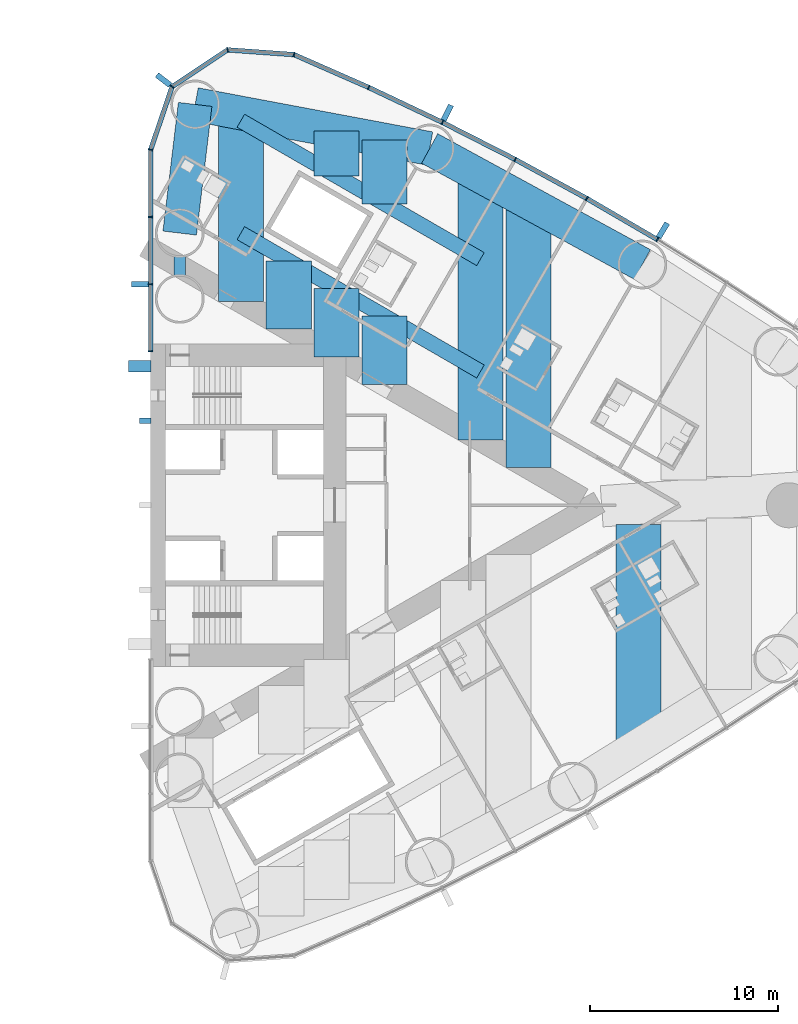
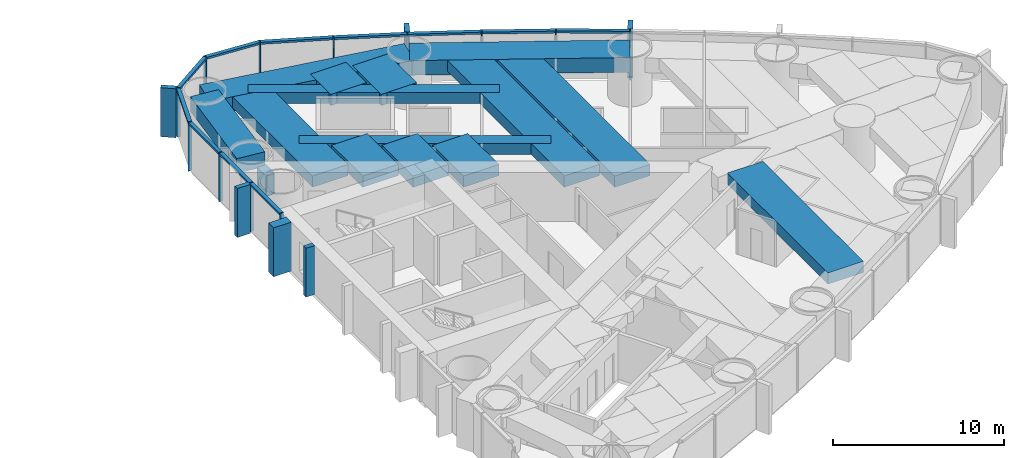
# One storey, part 7 of 18: 29 members, 15 beams, 1 element without a shape of its own.
"""IFC4 building model written with IfcOpenShell, lengths in metres."""

from ifc_helpers import new_model, si_unit, direction, frame, origin, origin_2d, place, context, subcontext, project, spatial, rectangle, hollow_rectangle, extrude, material, material_profile, profile_set, type_object, element, aggregate, save


model = new_model("IFC4")

# Units and contexts
model_context = context("Model", 3, precision=1e-05, world=origin(), true_north=direction((0.0, 1.0)))
body_context = subcontext(model_context, "Body", "Model", "MODEL_VIEW")
ifc_project = project(units=[si_unit("LENGTHUNIT", "METRE"), si_unit("AREAUNIT", "SQUARE_METRE"), si_unit("VOLUMEUNIT", "CUBIC_METRE"), si_unit("PLANEANGLEUNIT", "RADIAN"), si_unit("MASSUNIT", "GRAM", prefix="KILO")], contexts=[model_context])

# Site, building, storey
site_placement = place(None, origin())
site = spatial("IfcSite", under=ifc_project, at=site_placement, CompositionType="ELEMENT")
building_placement = place(site_placement, origin())
building = spatial("IfcBuilding", under=site, at=building_placement, Name="Lancet Gate Hotel", CompositionType="ELEMENT")
storey_placement = place(building_placement, frame((0.0, 0.0, 115.10009765625)))
storey = spatial("IfcBuildingStorey", under=building, at=storey_placement, Name="L30", CompositionType="ELEMENT", Elevation=115.10009765625)

# Curtain wall, members
ifc_material_1 = material(Name="Aluminium curtain wall", Category="aluminium")
curtain_wall_type = type_object("IfcCurtainWallType", Name="Tower unitised curtain wall", PredefinedType="USERDEFINED", material=ifc_material_1)
curtain_wall_placement = place(storey_placement, origin())
curtain_wall = element("IfcCurtainWall", 1, at=curtain_wall_placement, inside=storey, type_object=curtain_wall_type, Name="T2 L30 curtain wall 1", ObjectType="UNITISED CURTAIN WALL", PredefinedType="USERDEFINED")
ifc_material_2 = material(Name="Aluminium mullion", Category="aluminium")
ifc_material_profile_1 = material_profile(ifc_material_2, rectangle(XDim=0.06494140625, YDim=0.25, at=origin_2d()), Name="MULLION 65x250")
ifc_profile_set_1 = profile_set([ifc_material_profile_1], Name="Aluminium mullion")
member_type_1 = type_object("IfcMemberType", Name="Aluminium mullion 65x250", PredefinedType="MULLION", material=ifc_profile_set_1)
member_1_placement = place(storey_placement, frame((54.496337890625, 14.1552734375, 0.0), z_axis=(0.0, 0.0, 1.0), x_axis=(-0.856728030701, 0.515768437781, 0.0)))
member_1 = element("IfcMember", 2, at=member_1_placement, type_object=member_type_1, Name="T2 L30 curtain wall 1 mullion 23", PredefinedType="MULLION", context=body_context, shape_type="SweptSolid", body=[
    extrude(rectangle(XDim=0.06494140625, YDim=0.25, at=origin_2d()), origin(), (0.0, 0.0, 1.0), 3.5),
])
member_2_placement = place(storey_placement, frame((50.740478515625, 16.344482421875, 0.0), z_axis=(0.0, 0.0, 1.0), x_axis=(-0.871028838445, 0.491231882716, 0.0)))
member_2 = element("IfcMember", 3, at=member_2_placement, type_object=member_type_1, Name="T2 L30 curtain wall 1 mullion 24", PredefinedType="MULLION", context=body_context, shape_type="SweptSolid", body=[
    extrude(rectangle(XDim=0.06494140625, YDim=0.25, at=origin_2d()), origin(), (0.0, 0.0, 1.0), 3.5),
])
member_3_placement = place(storey_placement, frame((46.923828125, 18.426025390625, 0.0), z_axis=(0.0, 0.0, 1.0), x_axis=(-0.884627112962, 0.466299121822, 0.0)))
member_3 = element("IfcMember", 4, at=member_3_placement, type_object=member_type_1, Name="T2 L30 curtain wall 1 mullion 25", PredefinedType="MULLION", context=body_context, shape_type="SweptSolid", body=[
    extrude(rectangle(XDim=0.06494140625, YDim=0.25, at=origin_2d()), origin(), (0.0, 0.0, 1.0), 3.5),
])
member_4_placement = place(storey_placement, frame((43.0498046875, 20.398193359375, 0.0), z_axis=(0.0, 0.0, 1.0), x_axis=(-0.897511886496, 0.440990264743, 0.0)))
member_4 = element("IfcMember", 5, at=member_4_placement, type_object=member_type_1, Name="T2 L30 curtain wall 1 mullion 26", PredefinedType="MULLION", context=body_context, shape_type="SweptSolid", body=[
    extrude(rectangle(XDim=0.06494140625, YDim=0.25, at=origin_2d()), origin(), (0.0, 0.0, 1.0), 3.5),
])
member_5_placement = place(storey_placement, frame((39.12109375, 22.259765625, 0.0), z_axis=(0.0, 0.0, 1.0), x_axis=(-0.909672766767, 0.415325724465, 0.0)))
member_5 = element("IfcMember", 6, at=member_5_placement, type_object=member_type_1, Name="T2 L30 curtain wall 1 mullion 27", PredefinedType="MULLION", context=body_context, shape_type="SweptSolid", body=[
    extrude(rectangle(XDim=0.06494140625, YDim=0.25, at=origin_2d()), origin(), (0.0, 0.0, 1.0), 3.5),
])
member_6_placement = place(storey_placement, frame((35.141357421875, 24.009033203125, 0.0), z_axis=(0.0, 0.0, 1.0), x_axis=(-0.966317378791, 0.257353304711, 0.0)))
member_6 = element("IfcMember", 7, at=member_6_placement, type_object=member_type_1, Name="T2 L30 curtain wall 1 mullion 28", PredefinedType="MULLION", context=body_context, shape_type="SweptSolid", body=[
    extrude(rectangle(XDim=0.06494140625, YDim=0.25, at=origin_2d()), origin(), (0.0, 0.0, 1.0), 3.5),
])
member_7_placement = place(storey_placement, frame((31.60205078125, 24.26220703125, 0.0), z_axis=(0.0, 0.0, 1.0), x_axis=(-0.967157174963, -0.254179068604, 0.0)))
member_7 = element("IfcMember", 8, at=member_7_placement, type_object=member_type_1, Name="T2 L30 curtain wall 1 mullion 29", PredefinedType="MULLION", context=body_context, shape_type="SweptSolid", body=[
    extrude(rectangle(XDim=0.06494140625, YDim=0.25, at=origin_2d()), origin(), (0.0, 0.0, 1.0), 3.5),
])
member_8_placement = place(storey_placement, frame((28.64453125, 22.301513671875, 0.0), z_axis=(0.0, 0.0, 1.0), x_axis=(-0.610663954798, -0.79188984986, 0.0)))
member_8 = element("IfcMember", 9, at=member_8_placement, type_object=member_type_1, Name="T2 L30 curtain wall 1 mullion 30", PredefinedType="MULLION", context=body_context, shape_type="SweptSolid", body=[
    extrude(rectangle(XDim=0.06494140625, YDim=0.25, at=origin_2d()), origin(), (0.0, 0.0, 1.0), 3.5),
])
member_9_placement = place(storey_placement, frame((27.5, 18.94287109375, 0.0), z_axis=(0.0, 0.0, 1.0), x_axis=(-0.162738742557, -0.986669195663, 0.0)))
member_9 = element("IfcMember", 10, at=member_9_placement, type_object=member_type_1, Name="T2 L30 curtain wall 1 mullion 31", PredefinedType="MULLION", context=body_context, shape_type="SweptSolid", body=[
    extrude(rectangle(XDim=0.06494140625, YDim=0.25, at=origin_2d()), origin(), (0.0, 0.0, 1.0), 3.5),
])
member_10_placement = place(storey_placement, frame((27.5, 15.362060546875, 0.0), z_axis=(0.0, 0.0, 1.0), x_axis=(0.0, -1.0, 0.0)))
member_10 = element("IfcMember", 11, at=member_10_placement, type_object=member_type_1, Name="T2 L30 curtain wall 1 mullion 32", PredefinedType="MULLION", context=body_context, shape_type="SweptSolid", body=[
    extrude(rectangle(XDim=0.06494140625, YDim=0.25, at=origin_2d()), origin(), (0.0, 0.0, 1.0), 3.5),
])
member_11_placement = place(storey_placement, frame((27.5, 11.781005859375, 0.0), z_axis=(0.0, 0.0, 1.0), x_axis=(0.0, -1.0, 0.0)))
member_11 = element("IfcMember", 12, at=member_11_placement, type_object=member_type_1, Name="T2 L30 curtain wall 1 mullion 33", PredefinedType="MULLION", context=body_context, shape_type="SweptSolid", body=[
    extrude(rectangle(XDim=0.06494140625, YDim=0.25, at=origin_2d()), origin(), (0.0, 0.0, 1.0), 3.5),
])
member_12_placement = place(storey_placement, frame((27.5, 8.199951171875, 0.0), z_axis=(0.0, 0.0, 1.0), x_axis=(0.0, -1.0, 0.0)))
member_12 = element("IfcMember", 13, at=member_12_placement, type_object=member_type_1, Name="T2 L30 curtain wall 1 mullion 34", PredefinedType="MULLION", context=body_context, shape_type="SweptSolid", body=[
    extrude(rectangle(XDim=0.06494140625, YDim=0.25, at=origin_2d()), origin(), (0.0, 0.0, 1.0), 3.5),
])
ifc_material_3 = material(Name="Aluminium transom", Category="aluminium")
ifc_material_profile_2 = material_profile(ifc_material_3, rectangle(XDim=0.25, YDim=0.14990234375, at=origin_2d()), Name="TRANSOM 250x150")
ifc_profile_set_2 = profile_set([ifc_material_profile_2], Name="Aluminium transom")
member_type_2 = type_object("IfcMemberType", Name="Aluminium transom 250x150", PredefinedType="USERDEFINED", material=ifc_profile_set_2)
member_13_placement = place(storey_placement, frame((54.46826171875, 14.171630859375, 3.4248046875), z_axis=(-0.863973212152, 0.503537772847, 0.0), x_axis=(-0.503537772847, -0.863973212152, 0.0)))
member_13 = element("IfcMember", 14, at=member_13_placement, type_object=member_type_2, Name="T2 L30 curtain wall 1 transom 23", ObjectType="TRANSOM", PredefinedType="USERDEFINED", context=body_context, shape_type="SweptSolid", body=[
    extrude(rectangle(XDim=0.25, YDim=0.14990234375, at=origin_2d()), origin(), (0.0, 0.0, 1.0), 4.2822265625),
])
member_14_placement = place(storey_placement, frame((50.7119140625, 16.35986328125, 3.4248046875), z_axis=(-0.877906466435, 0.478832158685, 0.0), x_axis=(-0.478832158685, -0.877906466435, 0.0)))
member_14 = element("IfcMember", 15, at=member_14_placement, type_object=member_type_2, Name="T2 L30 curtain wall 1 transom 24", ObjectType="TRANSOM", PredefinedType="USERDEFINED", context=body_context, shape_type="SweptSolid", body=[
    extrude(rectangle(XDim=0.25, YDim=0.14990234375, at=origin_2d()), origin(), (0.0, 0.0, 1.0), 4.282470703125),
])
member_15_placement = place(storey_placement, frame((46.89501953125, 18.440673828125, 3.4248046875), z_axis=(-0.891165630033, 0.453678101574, 0.0), x_axis=(-0.453678101574, -0.891165630033, 0.0)))
member_15 = element("IfcMember", 16, at=member_15_placement, type_object=member_type_2, Name="T2 L30 curtain wall 1 transom 25", ObjectType="TRANSOM", PredefinedType="USERDEFINED", context=body_context, shape_type="SweptSolid", body=[
    extrude(rectangle(XDim=0.25, YDim=0.14990234375, at=origin_2d()), origin(), (0.0, 0.0, 1.0), 4.282470703125),
])
member_16_placement = place(storey_placement, frame((43.0205078125, 20.412109375, 3.4248046875), z_axis=(-0.903679787814, 0.428208875546, 0.0), x_axis=(-0.428208875546, -0.903679787814, 0.0)))
member_16 = element("IfcMember", 17, at=member_16_placement, type_object=member_type_2, Name="T2 L30 curtain wall 1 transom 26", ObjectType="TRANSOM", PredefinedType="USERDEFINED", context=body_context, shape_type="SweptSolid", body=[
    extrude(rectangle(XDim=0.25, YDim=0.14990234375, at=origin_2d()), origin(), (0.0, 0.0, 1.0), 4.282470703125),
])
member_17_placement = place(storey_placement, frame((39.09130859375, 22.27294921875, 3.4248046875), z_axis=(-0.915484772266, 0.402352621155, 0.0), x_axis=(-0.402352621155, -0.915484772266, 0.0)))
member_17 = element("IfcMember", 18, at=member_17_placement, type_object=member_type_2, Name="T2 L30 curtain wall 1 transom 27", ObjectType="TRANSOM", PredefinedType="USERDEFINED", context=body_context, shape_type="SweptSolid", body=[
    extrude(rectangle(XDim=0.25, YDim=0.14990234375, at=origin_2d()), origin(), (0.0, 0.0, 1.0), 4.281982421875),
])
member_18_placement = place(storey_placement, frame((35.10888671875, 24.01123046875, 3.4248046875), z_axis=(-0.997446232115, 0.071421383636, 0.0), x_axis=(-0.071421383636, -0.997446232115, 0.0)))
member_18 = element("IfcMember", 19, at=member_18_placement, type_object=member_type_2, Name="T2 L30 curtain wall 1 transom 28", ObjectType="TRANSOM", PredefinedType="USERDEFINED", context=body_context, shape_type="SweptSolid", body=[
    extrude(rectangle(XDim=0.25, YDim=0.14990234375, at=origin_2d()), origin(), (0.0, 0.0, 1.0), 3.483154296875),
])
member_19_placement = place(storey_placement, frame((31.574951171875, 24.244384765625, 3.4248046875), z_axis=(-0.833470854141, -0.552563421968, 0.0), x_axis=(0.552563421968, -0.833470854141, 0.0)))
member_19 = element("IfcMember", 20, at=member_19_placement, type_object=member_type_2, Name="T2 L30 curtain wall 1 transom 29", ObjectType="TRANSOM", PredefinedType="USERDEFINED", context=body_context, shape_type="SweptSolid", body=[
    extrude(rectangle(XDim=0.25, YDim=0.14990234375, at=origin_2d()), origin(), (0.0, 0.0, 1.0), 3.4833984375),
])
member_20_placement = place(storey_placement, frame((28.634033203125, 22.270751953125, 3.4248046875), z_axis=(-0.322549769135, -0.946552505903, 0.0), x_axis=(0.946552505903, -0.322549769135, 0.0)))
member_20 = element("IfcMember", 21, at=member_20_placement, type_object=member_type_2, Name="T2 L30 curtain wall 1 transom 30", ObjectType="TRANSOM", PredefinedType="USERDEFINED", context=body_context, shape_type="SweptSolid", body=[
    extrude(rectangle(XDim=0.25, YDim=0.14990234375, at=origin_2d()), origin(), (0.0, 0.0, 1.0), 3.4833984375),
])
member_21_placement = place(storey_placement, frame((27.5, 18.910400390625, 3.4248046875), z_axis=(0.0, -1.0, 0.0), x_axis=(1.0, 0.0, 0.0)))
member_21 = element("IfcMember", 22, at=member_21_placement, type_object=member_type_2, Name="T2 L30 curtain wall 1 transom 31", ObjectType="TRANSOM", PredefinedType="USERDEFINED", context=body_context, shape_type="SweptSolid", body=[
    extrude(rectangle(XDim=0.25, YDim=0.14990234375, at=origin_2d()), origin(), (0.0, 0.0, 1.0), 3.515869140625),
])
member_22_placement = place(storey_placement, frame((27.5, 15.329345703125, 3.4248046875), z_axis=(0.0, -1.0, 0.0), x_axis=(1.0, 0.0, 0.0)))
member_22 = element("IfcMember", 23, at=member_22_placement, type_object=member_type_2, Name="T2 L30 curtain wall 1 transom 32", ObjectType="TRANSOM", PredefinedType="USERDEFINED", context=body_context, shape_type="SweptSolid", body=[
    extrude(rectangle(XDim=0.25, YDim=0.14990234375, at=origin_2d()), origin(), (0.0, 0.0, 1.0), 3.515869140625),
])
member_23_placement = place(storey_placement, frame((27.5, 11.74853515625, 3.4248046875), z_axis=(0.0, -1.0, 0.0), x_axis=(1.0, 0.0, 0.0)))
member_23 = element("IfcMember", 24, at=member_23_placement, type_object=member_type_2, Name="T2 L30 curtain wall 1 transom 33", ObjectType="TRANSOM", PredefinedType="USERDEFINED", context=body_context, shape_type="SweptSolid", body=[
    extrude(rectangle(XDim=0.25, YDim=0.14990234375, at=origin_2d()), origin(), (0.0, 0.0, 1.0), 3.51611328125),
])

# Beams
ifc_material_4 = material(Name="Concrete C50/60", Category="concrete")
ifc_material_profile_3 = material_profile(ifc_material_4, rectangle(XDim=1.800048828125, YDim=1.050048828125, at=origin_2d()), Name="RC 1800x1050")
ifc_profile_set_3 = profile_set([ifc_material_profile_3], Name="Concrete C50/60")
beam_type_1 = type_object("IfcBeamType", Name="Edge beam RC 1800x1050", PredefinedType="SPANDREL", material=ifc_profile_set_3)
beam_1_placement = place(storey_placement, frame((53.697021484375, 12.827392578125, 2.724853515625), z_axis=(-0.87792015078, 0.478807068509, 0.0), x_axis=(-0.478807068509, -0.87792015078, 0.0)))
element("IfcBeam", 25, at=beam_1_placement, inside=storey, type_object=beam_type_1, Name="T2 edge beam EB1 L30", PredefinedType="SPANDREL", context=body_context, shape_type="SweptSolid", body=[
    extrude(rectangle(XDim=1.800048828125, YDim=1.050048828125, at=origin_2d()), origin(), (0.0, 0.0, 1.0), 12.906494140625),
])
beam_2_placement = place(storey_placement, frame((42.3662109375, 19.007080078125, 2.724853515625), z_axis=(-0.982797318081, 0.184687388776, 0.0), x_axis=(-0.184687388776, -0.982797318081, 0.0)))
element("IfcBeam", 26, at=beam_2_placement, inside=storey, type_object=beam_type_1, Name="T2 edge beam EB1 L30", PredefinedType="SPANDREL", context=body_context, shape_type="SweptSolid", body=[
    extrude(rectangle(XDim=1.800048828125, YDim=1.050048828125, at=origin_2d()), origin(), (0.0, 0.0, 1.0), 12.712890625),
])
beam_3_placement = place(storey_placement, frame((29.050048828125, 14.5, 2.724853515625), z_axis=(0.119062951196, 0.99288670736, 0.0), x_axis=(-0.99288670736, 0.119062951196, 0.0)))
element("IfcBeam", 27, at=beam_3_placement, inside=storey, type_object=beam_type_1, Name="T2 edge beam EB1 L30", PredefinedType="SPANDREL", context=body_context, shape_type="SweptSolid", body=[
    extrude(rectangle(XDim=1.800048828125, YDim=1.050048828125, at=origin_2d()), origin(), (0.0, 0.0, 1.0), 6.904052734375),
])

# Member
ifc_material_5 = material(Name="Concrete C60/75", Category="concrete")
ifc_material_profile_4 = material_profile(ifc_material_5, rectangle(XDim=0.60009765625, YDim=1.199951171875, at=origin_2d()), Name="FIN 600x1200")
ifc_profile_set_4 = profile_set([ifc_material_profile_4], Name="Concrete C60/75")
member_type_3 = type_object("IfcMemberType", Name="Exposed concrete buttress pilaster 600x1200", PredefinedType="USERDEFINED", material=ifc_profile_set_4)
member_24_placement = place(storey_placement, frame((26.909912109375, 7.39990234375, 0.0), z_axis=(0.0, 0.0, 1.0), x_axis=(0.0, 1.0, 0.0)))
element("IfcMember", 28, at=member_24_placement, inside=storey, type_object=member_type_3, Name="T2 buttress pilaster N L30", ObjectType="FIN", PredefinedType="USERDEFINED", context=body_context, shape_type="SweptSolid", body=[
    extrude(rectangle(XDim=0.60009765625, YDim=1.199951171875, at=origin_2d()), origin(), (0.0, 0.0, 1.0), 3.5),
])

ifc_material_6 = material(Name="Precast concrete C50/60", Category="concrete")
ifc_material_profile_5 = material_profile(ifc_material_6, rectangle(XDim=0.300048828125, YDim=0.89990234375, at=origin_2d()), Name="FIN 300x900")
ifc_profile_set_5 = profile_set([ifc_material_profile_5], Name="Precast concrete C50/60")
member_type_4 = type_object("IfcMemberType", Name="Exposed concrete fin 300x900", PredefinedType="USERDEFINED", material=ifc_profile_set_5)
member_25_placement = place(storey_placement, frame((54.79296875, 14.64794921875, 0.0), z_axis=(0.0, 0.0, 1.0), x_axis=(-0.856728030701, 0.515768437781, 0.0)))
member_25 = element("IfcMember", 29, at=member_25_placement, type_object=member_type_4, Name="T2 L30 curtain wall 1 fin 23", ObjectType="FIN", PredefinedType="USERDEFINED", context=body_context, shape_type="SweptSolid", body=[
    extrude(rectangle(XDim=0.300048828125, YDim=0.89990234375, at=origin_2d()), origin(), (0.0, 0.0, 1.0), 3.5),
])

member_26_placement = place(storey_placement, frame((43.30322265625, 20.914306640625, 0.0), z_axis=(0.0, 0.0, 1.0), x_axis=(-0.897511886496, 0.440990264743, 0.0)))
member_26 = element("IfcMember", 30, at=member_26_placement, type_object=member_type_4, Name="T2 L30 curtain wall 1 fin 26", ObjectType="FIN", PredefinedType="USERDEFINED", context=body_context, shape_type="SweptSolid", body=[
    extrude(rectangle(XDim=0.300048828125, YDim=0.89990234375, at=origin_2d()), origin(), (0.0, 0.0, 1.0), 3.5),
])

member_27_placement = place(storey_placement, frame((28.189208984375, 22.65283203125, 0.0), z_axis=(0.0, 0.0, 1.0), x_axis=(-0.610663954798, -0.79188984986, 0.0)))
member_27 = element("IfcMember", 31, at=member_27_placement, type_object=member_type_4, Name="T2 L30 curtain wall 1 fin 30", ObjectType="FIN", PredefinedType="USERDEFINED", context=body_context, shape_type="SweptSolid", body=[
    extrude(rectangle(XDim=0.300048828125, YDim=0.89990234375, at=origin_2d()), origin(), (0.0, 0.0, 1.0), 3.5),
])

member_28_placement = place(storey_placement, frame((26.925048828125, 11.781005859375, 0.0), z_axis=(0.0, 0.0, 1.0), x_axis=(0.0, -1.0, 0.0)))
member_28 = element("IfcMember", 32, at=member_28_placement, type_object=member_type_4, Name="T2 L30 curtain wall 1 fin 33", ObjectType="FIN", PredefinedType="USERDEFINED", context=body_context, shape_type="SweptSolid", body=[
    extrude(rectangle(XDim=0.300048828125, YDim=0.89990234375, at=origin_2d()), origin(), (0.0, 0.0, 1.0), 3.5),
])

aggregate(curtain_wall, [member_1, member_25, member_2, member_3, member_4, member_26, member_5, member_6, member_7, member_8, member_27, member_9, member_10, member_11, member_28, member_12, member_13, member_14, member_15, member_16, member_17, member_18, member_19, member_20, member_21, member_22, member_23])

ifc_material_7 = material(Name="Concrete C60/75", Category="concrete")
ifc_material_profile_6 = material_profile(ifc_material_7, rectangle(XDim=0.300048828125, YDim=0.60009765625, at=origin_2d()), Name="FIN 300x600")
ifc_profile_set_6 = profile_set([ifc_material_profile_6], Name="Concrete C60/75")
member_type_5 = type_object("IfcMemberType", Name="Exposed concrete rib 300x600", PredefinedType="USERDEFINED", material=ifc_profile_set_6)
member_29_placement = place(storey_placement, frame((27.2099609375, 4.5, 0.0), z_axis=(0.0, 0.0, 1.0), x_axis=(0.0, 1.0, 0.0)))
element("IfcMember", 33, at=member_29_placement, inside=storey, type_object=member_type_5, Name="T2 core rib 3 L30", ObjectType="FIN", PredefinedType="USERDEFINED", context=body_context, shape_type="SweptSolid", body=[
    extrude(rectangle(XDim=0.300048828125, YDim=0.60009765625, at=origin_2d()), origin(), (0.0, 0.0, 1.0), 3.5),
])

# Beams
ifc_material_8 = material(Name="Concrete C50/60", Category="concrete")
ifc_material_profile_7 = material_profile(ifc_material_8, rectangle(XDim=2.39990234375, YDim=0.800048828125, at=origin_2d()), Name="RC 2400x800")
ifc_profile_set_7 = profile_set([ifc_material_profile_7], Name="Concrete C50/60")
beam_type_2 = type_object("IfcBeamType", Name="Floor beam RC 2400x800", PredefinedType="BEAM", material=ifc_profile_set_7)
beam_4_placement = place(storey_placement, frame((32.306396484375, 10.851806640625, 2.849853515625), z_axis=(0.0, 1.0, 0.0), x_axis=(-1.0, 0.0, 0.0)))
element("IfcBeam", 34, at=beam_4_placement, inside=storey, type_object=beam_type_2, Name="T2 floor beam F02N L30", PredefinedType="BEAM", context=body_context, shape_type="SweptSolid", body=[
    extrude(rectangle(XDim=2.39990234375, YDim=0.800048828125, at=origin_2d()), origin(), (0.0, 0.0, 1.0), 10.0458984375),
])
beam_5_placement = place(storey_placement, frame((45.072265625, 3.4814453125, 2.849853515625), z_axis=(0.0, 1.0, 0.0), x_axis=(-1.0, 0.0, 0.0)))
element("IfcBeam", 35, at=beam_5_placement, inside=storey, type_object=beam_type_2, Name="T2 floor beam F10N L30", PredefinedType="BEAM", context=body_context, shape_type="SweptSolid", body=[
    extrude(rectangle(XDim=2.39990234375, YDim=0.800048828125, at=origin_2d()), origin(), (0.0, 0.0, 1.0), 14.0498046875),
])
beam_6_placement = place(storey_placement, frame((47.62548828125, 2.00732421875, 2.849853515625), z_axis=(0.0, 1.0, 0.0), x_axis=(-1.0, 0.0, 0.0)))
element("IfcBeam", 36, at=beam_6_placement, inside=storey, type_object=beam_type_2, Name="T2 floor beam F12N L30", PredefinedType="BEAM", context=body_context, shape_type="SweptSolid", body=[
    extrude(rectangle(XDim=2.39990234375, YDim=0.800048828125, at=origin_2d()), origin(), (0.0, 0.0, 1.0), 14.13134765625),
])
beam_7_placement = place(storey_placement, frame((53.502197265625, -12.804443359375, 2.849853515625), z_axis=(0.0, 1.0, 0.0), x_axis=(-1.0, 0.0, 0.0)))
element("IfcBeam", 37, at=beam_7_placement, inside=storey, type_object=beam_type_2, Name="T2 floor beam F13S L30", PredefinedType="BEAM", context=body_context, shape_type="SweptSolid", body=[
    extrude(rectangle(XDim=2.39990234375, YDim=0.800048828125, at=origin_2d()), origin(), (0.0, 0.0, 1.0), 11.78564453125),
])
beam_8_placement = place(storey_placement, frame((34.859619140625, 9.377685546875, 2.849853515625), z_axis=(0.0, 1.0, 0.0), x_axis=(-1.0, 0.0, 0.0)))
element("IfcBeam", 38, at=beam_8_placement, inside=storey, type_object=beam_type_2, Name="T2 floor beam F04NA L30", PredefinedType="BEAM", context=body_context, shape_type="SweptSolid", body=[
    extrude(rectangle(XDim=2.39990234375, YDim=0.800048828125, at=origin_2d()), origin(), (0.0, 0.0, 1.0), 3.645751953125),
])
beam_9_placement = place(storey_placement, frame((37.412841796875, 7.903564453125, 2.849853515625), z_axis=(0.0, 1.0, 0.0), x_axis=(-1.0, 0.0, 0.0)))
element("IfcBeam", 39, at=beam_9_placement, inside=storey, type_object=beam_type_2, Name="T2 floor beam F06NA L30", PredefinedType="BEAM", context=body_context, shape_type="SweptSolid", body=[
    extrude(rectangle(XDim=2.39990234375, YDim=0.800048828125, at=origin_2d()), origin(), (0.0, 0.0, 1.0), 3.6455078125),
])
beam_10_placement = place(storey_placement, frame((37.412841796875, 17.537109375, 2.849853515625), z_axis=(0.0, 1.0, 0.0), x_axis=(-1.0, 0.0, 0.0)))
element("IfcBeam", 40, at=beam_10_placement, inside=storey, type_object=beam_type_2, Name="T2 floor beam F06NB L30", PredefinedType="BEAM", context=body_context, shape_type="SweptSolid", body=[
    extrude(rectangle(XDim=2.39990234375, YDim=0.800048828125, at=origin_2d()), origin(), (0.0, 0.0, 1.0), 2.40087890625),
])
beam_11_placement = place(storey_placement, frame((39.9658203125, 6.429443359375, 2.849853515625), z_axis=(0.0, 1.0, 0.0), x_axis=(-1.0, 0.0, 0.0)))
element("IfcBeam", 41, at=beam_11_placement, inside=storey, type_object=beam_type_2, Name="T2 floor beam F08NA L30", PredefinedType="BEAM", context=body_context, shape_type="SweptSolid", body=[
    extrude(rectangle(XDim=2.39990234375, YDim=0.800048828125, at=origin_2d()), origin(), (0.0, 0.0, 1.0), 3.64501953125),
])
beam_12_placement = place(storey_placement, frame((39.9658203125, 16.062744140625, 2.849853515625), z_axis=(0.0, 1.0, 0.0), x_axis=(-1.0, 0.0, 0.0)))
element("IfcBeam", 42, at=beam_12_placement, inside=storey, type_object=beam_type_2, Name="T2 floor beam F08NB L30", PredefinedType="BEAM", context=body_context, shape_type="SweptSolid", body=[
    extrude(rectangle(XDim=2.39990234375, YDim=0.800048828125, at=origin_2d()), origin(), (0.0, 0.0, 1.0), 3.3955078125),
])
ifc_material_9 = material(Name="Steel S460QL", Category="steel")
ifc_material_profile_8 = material_profile(ifc_material_9, hollow_rectangle(XDim=0.60009765625, YDim=1.5, WallThickness=0.050048828125, at=origin_2d()), Name="BOX 1500x600x50")
ifc_profile_set_8 = profile_set([ifc_material_profile_8], Name="Steel S460QL")
beam_type_3 = type_object("IfcBeamType", Name="Inner-face link beam BOX 1500x600x50", PredefinedType="BEAM", material=ifc_profile_set_8)
beam_13_placement = place(storey_placement, frame((29.050048828125, 12.25, 2.5), z_axis=(0.0, 1.0, 0.0), x_axis=(-1.0, 0.0, 0.0)))
element("IfcBeam", 43, at=beam_13_placement, inside=storey, type_object=beam_type_3, Name="T2 inner-face link beam LK1 L30", PredefinedType="BEAM", context=body_context, shape_type="SweptSolid", body=[
    extrude(hollow_rectangle(XDim=0.60009765625, YDim=1.5, WallThickness=0.050048828125, at=origin_2d()), origin(), (0.0, 0.0, 1.0), 1.0),
])
ifc_material_10 = material(Name="Steel S460QL", Category="steel")
ifc_material_profile_9 = material_profile(ifc_material_10, hollow_rectangle(XDim=0.800048828125, YDim=0.800048828125, WallThickness=0.080078125, at=origin_2d()), Name="BOX 800x800x80")
ifc_profile_set_9 = profile_set([ifc_material_profile_9], Name="Steel S460QL")
beam_type_4 = type_object("IfcBeamType", Name="Trimmer beam BOX 800x800x80", PredefinedType="BEAM", material=ifc_profile_set_9)
beam_14_placement = place(storey_placement, frame((32.306396484375, 20.48583984375, 2.849853515625), z_axis=(0.86598286195, -0.500073677381, 0.0), x_axis=(0.500073677381, 0.86598286195, 0.0)))
element("IfcBeam", 44, at=beam_14_placement, inside=storey, type_object=beam_type_4, Name="T2 trimmer beam TR03N L30", PredefinedType="BEAM", context=body_context, shape_type="SweptSolid", body=[
    extrude(hollow_rectangle(XDim=0.800048828125, YDim=0.800048828125, WallThickness=0.080078125, at=origin_2d()), origin(), (0.0, 0.0, 1.0), 14.741455078125),
])
beam_15_placement = place(storey_placement, frame((32.306396484375, 14.497802734375, 2.849853515625), z_axis=(0.865975689888, -0.500086097111, 0.0), x_axis=(0.500086097111, 0.865975689888, 0.0)))
element("IfcBeam", 45, at=beam_15_placement, inside=storey, type_object=beam_type_4, Name="T2 trimmer beam TR04N L30", PredefinedType="BEAM", context=body_context, shape_type="SweptSolid", body=[
    extrude(hollow_rectangle(XDim=0.800048828125, YDim=0.800048828125, WallThickness=0.080078125, at=origin_2d()), origin(), (0.0, 0.0, 1.0), 14.74169921875),
])

save(model, "model.ifc")
